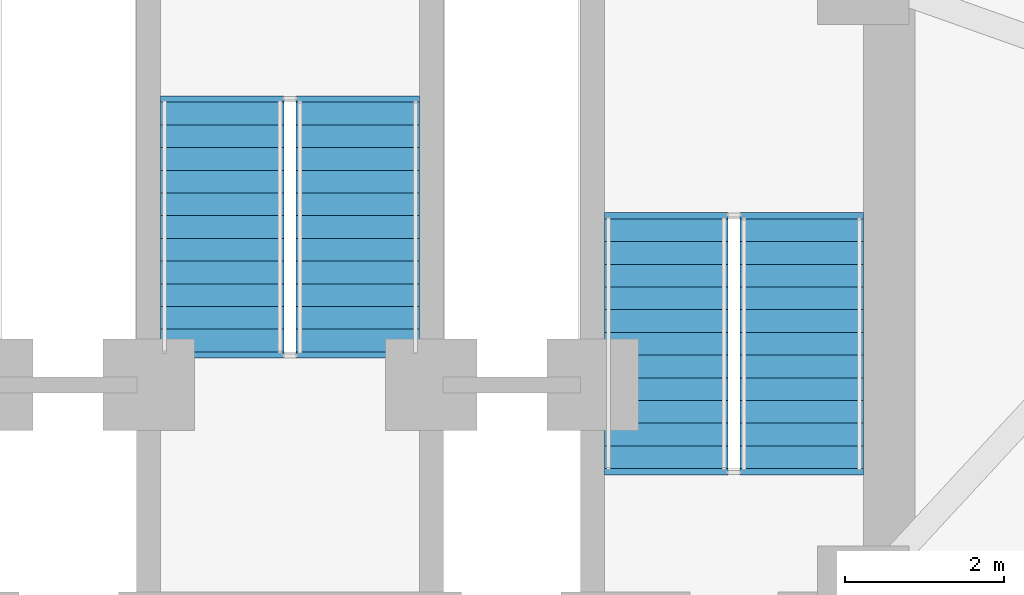
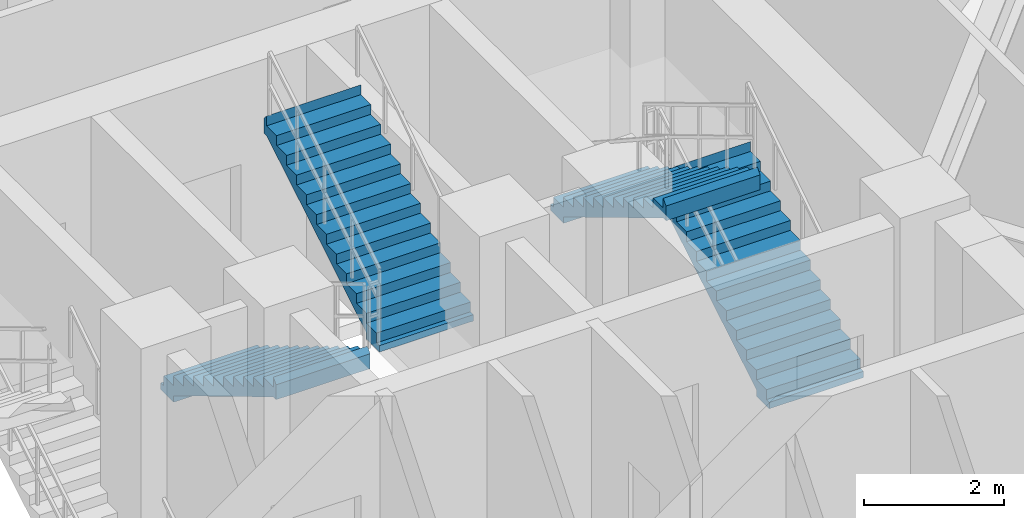
# One storey, part 7 of 10: 4 stair flights, 2 elements without a shape of their own.
"""IFC4 building model written with IfcOpenShell, lengths in metres."""

from ifc_helpers import new_model, si_unit, direction, frame, origin, place, context, subcontext, project, spatial, polyline, outline, extrude, material, type_object, element, aggregate, save


model = new_model("IFC4")

# Units and contexts
model_context = context("Model", 3, precision=1e-05, world=origin(), true_north=direction((0.0, 1.0)))
body_context = subcontext(model_context, "Body", "Model", "MODEL_VIEW")
ifc_project = project(units=[si_unit("LENGTHUNIT", "METRE"), si_unit("AREAUNIT", "SQUARE_METRE"), si_unit("VOLUMEUNIT", "CUBIC_METRE"), si_unit("PLANEANGLEUNIT", "RADIAN"), si_unit("MASSUNIT", "GRAM", prefix="KILO")], contexts=[model_context])

# Site, building, storey
site_placement = place(None, origin())
site = spatial("IfcSite", under=ifc_project, at=site_placement, CompositionType="ELEMENT")
building_placement = place(site_placement, origin())
building = spatial("IfcBuilding", under=site, at=building_placement, Name="Apsidion Concourse Tower", CompositionType="ELEMENT")
storey_placement = place(building_placement, frame((0.0, 0.0, 202.39990234375)))
storey = spatial("IfcBuildingStorey", under=building, at=storey_placement, Name="L47", CompositionType="ELEMENT", Elevation=202.39990234375)

# Stair, stair flights
ifc_material = material(Name="Precast concrete C40/50", Category="concrete")
stair_type = type_object("IfcStairType", Name="ST-DL-1550", PredefinedType="HALF_TURN_STAIR", material=ifc_material)
stair_1_placement = place(storey_placement, origin())
stair_1 = element("IfcStair", 1, at=stair_1_placement, inside=storey, type_object=stair_type, Name="L47 Protected Core Exit Stair ST2", PredefinedType="HALF_TURN_STAIR")
stair_flight_type = type_object("IfcStairFlightType", Name="SFL-RC-1550", PredefinedType="STRAIGHT", material=ifc_material)
stair_flight_1_placement = place(storey_placement, frame((6.425048828125, 3.0, 0.0), z_axis=(0.0, 0.0, 1.0), x_axis=(0.0, 1.0, 0.0)))
stair_flight_1 = element("IfcStairFlight", 2, at=stair_flight_1_placement, type_object=stair_flight_type, Name="ST2 flight 1", NumberOfRisers=12, NumberOfTreads=11, PredefinedType="STRAIGHT", RiserHeight=0.170833333, TreadLength=0.285, context=body_context, shape_type="SweptSolid", body=[
    extrude(outline(polyline([(-0.080078125, -0.1123046875), (-0.080078125, 0.0), (0.0, 0.0), (0.0, 0.1708984375), (0.284912109375, 0.1708984375), (0.284912109375, 0.341552734375), (0.570068359375, 0.341552734375), (0.570068359375, 0.512451171875), (0.85498046875, 0.512451171875), (0.85498046875, 0.683349609375), (1.139892578125, 0.683349609375), (1.139892578125, 0.854248046875), (1.425048828125, 0.854248046875), (1.425048828125, 1.02490234375), (1.7099609375, 1.02490234375), (1.7099609375, 1.19580078125), (1.9951171875, 1.19580078125), (1.9951171875, 1.36669921875), (2.280029296875, 1.36669921875), (2.280029296875, 1.53759765625), (2.56494140625, 1.53759765625), (2.56494140625, 1.708251953125), (2.85009765625, 1.708251953125), (2.85009765625, 1.879150390625), (3.135009765625, 1.879150390625), (3.135009765625, 2.050048828125), (3.215087890625, 1.964599609375), (3.215087890625, 1.704345703125), (3.135009765625, 1.704345703125), (0.29150390625, 0.0), (0.29150390625, -0.1123046875), (-0.080078125, -0.1123046875)])), frame((0.0, 0.77490234375, 0.0), z_axis=(0.0, -1.0, 0.0), x_axis=(1.0, 0.0, 0.0)), (0.0, 0.0, 1.0), 1.550048828125),
])
stair_flight_2_placement = place(storey_placement, frame((4.72509765625, 6.135009765625, 2.050048828125), z_axis=(0.0, 0.0, 1.0), x_axis=(0.0, -1.0, 0.0)))
stair_flight_2 = element("IfcStairFlight", 3, at=stair_flight_2_placement, type_object=stair_flight_type, Name="ST2 flight 2", NumberOfRisers=12, NumberOfTreads=11, PredefinedType="STRAIGHT", RiserHeight=0.170833333, TreadLength=0.285, context=body_context, shape_type="SweptSolid", body=[
    extrude(outline(polyline([(-0.080078125, -0.1123046875), (-0.080078125, 0.0), (0.0, 0.0), (0.0, 0.1708984375), (0.284912109375, 0.1708984375), (0.284912109375, 0.341552734375), (0.570068359375, 0.341552734375), (0.570068359375, 0.512451171875), (0.85498046875, 0.512451171875), (0.85498046875, 0.683349609375), (1.139892578125, 0.683349609375), (1.139892578125, 0.854248046875), (1.425048828125, 0.854248046875), (1.425048828125, 1.02490234375), (1.7099609375, 1.02490234375), (1.7099609375, 1.19580078125), (1.9951171875, 1.19580078125), (1.9951171875, 1.36669921875), (2.280029296875, 1.36669921875), (2.280029296875, 1.53759765625), (2.56494140625, 1.53759765625), (2.56494140625, 1.708251953125), (2.85009765625, 1.708251953125), (2.85009765625, 1.879150390625), (3.135009765625, 1.879150390625), (3.135009765625, 2.050048828125), (3.215087890625, 1.964599609375), (3.215087890625, 1.704345703125), (3.135009765625, 1.704345703125), (0.29150390625, 0.0), (0.29150390625, -0.1123046875), (-0.080078125, -0.1123046875)])), frame((0.0, 0.77490234375, 0.0), z_axis=(0.0, -1.0, 0.0), x_axis=(1.0, 0.0, 0.0)), (0.0, 0.0, 1.0), 1.550048828125),
])
aggregate(stair_1, [stair_flight_1, stair_flight_2])

stair_2_placement = place(storey_placement, origin())
stair_2 = element("IfcStair", 4, at=stair_2_placement, inside=storey, type_object=stair_type, Name="L47 Protected Core Exit Stair ST3", PredefinedType="HALF_TURN_STAIR")
stair_flight_3_placement = place(storey_placement, frame((-0.85009765625, 7.60009765625, 0.0), z_axis=(0.0, 0.0, 1.0), x_axis=(0.0, -1.0, 0.0)))
stair_flight_3 = element("IfcStairFlight", 5, at=stair_flight_3_placement, type_object=stair_flight_type, Name="ST3 flight 1", NumberOfRisers=12, NumberOfTreads=11, PredefinedType="STRAIGHT", RiserHeight=0.170833333, TreadLength=0.285, context=body_context, shape_type="SweptSolid", body=[
    extrude(outline(polyline([(-0.080078125, -0.1123046875), (-0.080078125, 0.0), (0.0, 0.0), (0.0, 0.1708984375), (0.284912109375, 0.1708984375), (0.284912109375, 0.341552734375), (0.570068359375, 0.341552734375), (0.570068359375, 0.512451171875), (0.85498046875, 0.512451171875), (0.85498046875, 0.683349609375), (1.139892578125, 0.683349609375), (1.139892578125, 0.854248046875), (1.425048828125, 0.854248046875), (1.425048828125, 1.02490234375), (1.7099609375, 1.02490234375), (1.7099609375, 1.19580078125), (1.9951171875, 1.19580078125), (1.9951171875, 1.36669921875), (2.280029296875, 1.36669921875), (2.280029296875, 1.53759765625), (2.56494140625, 1.53759765625), (2.56494140625, 1.708251953125), (2.85009765625, 1.708251953125), (2.85009765625, 1.879150390625), (3.135009765625, 1.879150390625), (3.135009765625, 2.050048828125), (3.215087890625, 1.964599609375), (3.215087890625, 1.704345703125), (3.135009765625, 1.704345703125), (0.29150390625, 0.0), (0.29150390625, -0.1123046875), (-0.080078125, -0.1123046875)])), frame((0.0, 0.77490234375, 0.0), z_axis=(0.0, -1.0, 0.0), x_axis=(1.0, 0.0, 0.0)), (0.0, 0.0, 1.0), 1.550048828125),
])
stair_flight_4_placement = place(storey_placement, frame((0.85009765625, 4.465087890625, 2.050048828125), z_axis=(0.0, 0.0, 1.0), x_axis=(0.0, 1.0, 0.0)))
stair_flight_4 = element("IfcStairFlight", 6, at=stair_flight_4_placement, type_object=stair_flight_type, Name="ST3 flight 2", NumberOfRisers=12, NumberOfTreads=11, PredefinedType="STRAIGHT", RiserHeight=0.170833333, TreadLength=0.285, context=body_context, shape_type="SweptSolid", body=[
    extrude(outline(polyline([(-0.080078125, -0.1123046875), (-0.080078125, 0.0), (0.0, 0.0), (0.0, 0.1708984375), (0.284912109375, 0.1708984375), (0.284912109375, 0.341552734375), (0.570068359375, 0.341552734375), (0.570068359375, 0.512451171875), (0.85498046875, 0.512451171875), (0.85498046875, 0.683349609375), (1.139892578125, 0.683349609375), (1.139892578125, 0.854248046875), (1.425048828125, 0.854248046875), (1.425048828125, 1.02490234375), (1.7099609375, 1.02490234375), (1.7099609375, 1.19580078125), (1.9951171875, 1.19580078125), (1.9951171875, 1.36669921875), (2.280029296875, 1.36669921875), (2.280029296875, 1.53759765625), (2.56494140625, 1.53759765625), (2.56494140625, 1.708251953125), (2.85009765625, 1.708251953125), (2.85009765625, 1.879150390625), (3.135009765625, 1.879150390625), (3.135009765625, 2.050048828125), (3.215087890625, 1.964599609375), (3.215087890625, 1.704345703125), (3.135009765625, 1.704345703125), (0.29150390625, 0.0), (0.29150390625, -0.1123046875), (-0.080078125, -0.1123046875)])), frame((0.0, 0.77490234375, 0.0), z_axis=(0.0, -1.0, 0.0), x_axis=(1.0, 0.0, 0.0)), (0.0, 0.0, 1.0), 1.550048828125),
])
aggregate(stair_2, [stair_flight_3, stair_flight_4])

save(model, "model.ifc")
